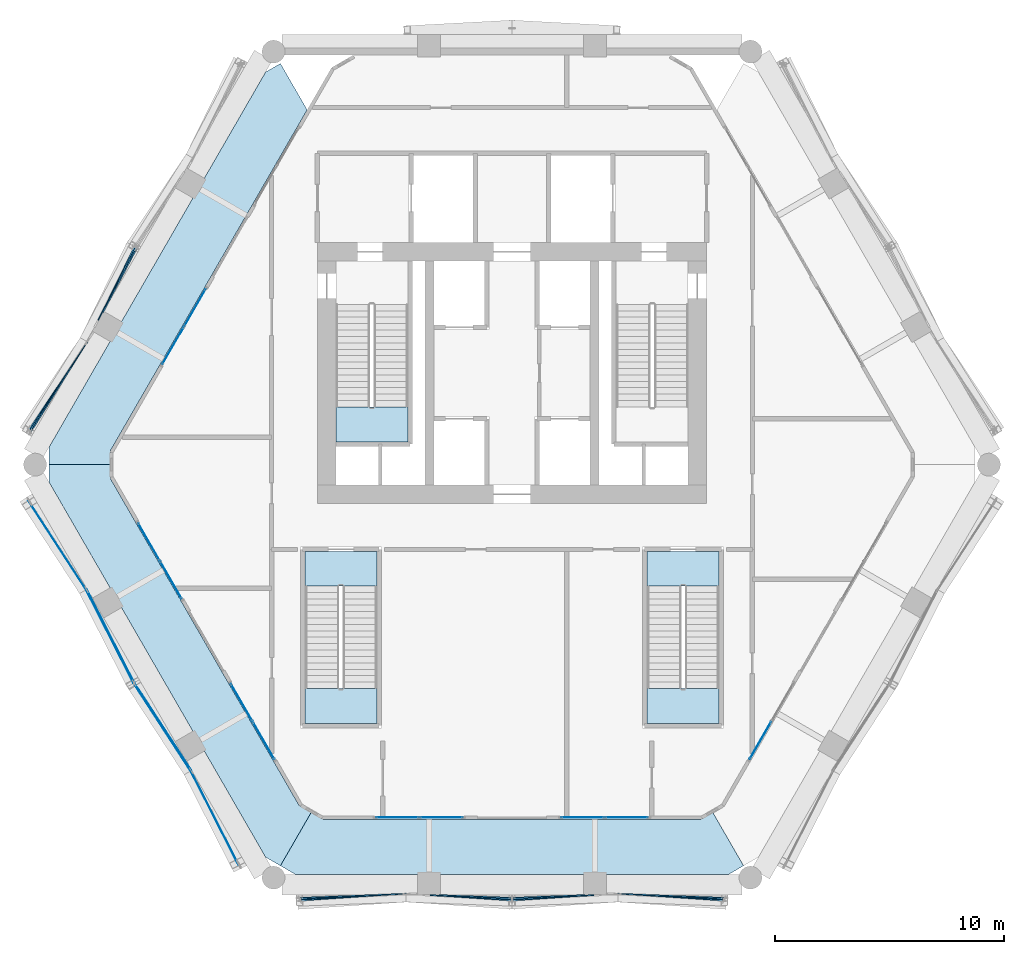
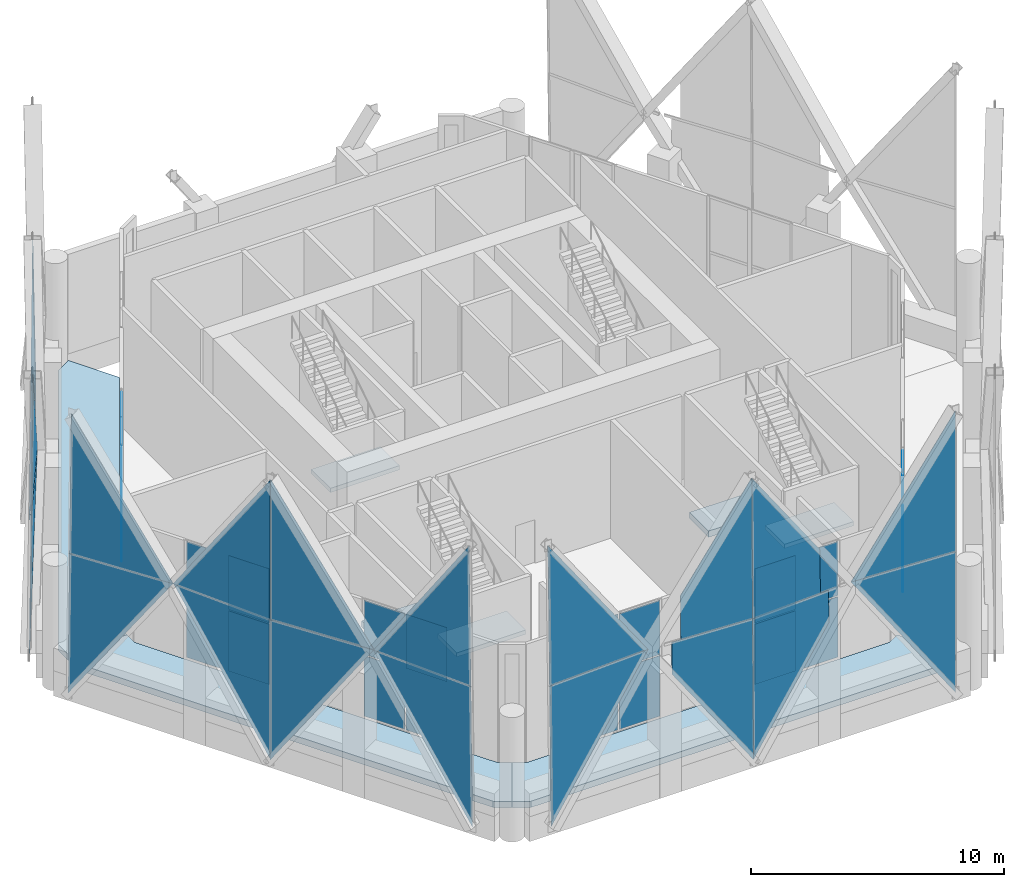
# One storey, part 33 of 43: 42 plates, 8 slabs, 21 elements without a shape of their own.
"""IFC4 building model written with IfcOpenShell, lengths in metres."""

from ifc_helpers import new_model, si_unit, direction, frame, origin, origin_2d, place, context, subcontext, project, spatial, polyline, rectangle, outline, extrude, material, layer, layer_set, type_object, element, aggregate, save


model = new_model("IFC4")

# Units and contexts
model_context = context("Model", 3, precision=1e-05, world=origin(), true_north=direction((0.0, 1.0)))
body_context = subcontext(model_context, "Body", "Model", "MODEL_VIEW")
ifc_project = project(units=[si_unit("LENGTHUNIT", "METRE"), si_unit("AREAUNIT", "SQUARE_METRE"), si_unit("VOLUMEUNIT", "CUBIC_METRE"), si_unit("PLANEANGLEUNIT", "RADIAN"), si_unit("MASSUNIT", "GRAM", prefix="KILO")], contexts=[model_context])

# Site, building, storey
site_placement = place(None, origin())
site = spatial("IfcSite", under=ifc_project, at=site_placement, CompositionType="ELEMENT")
building_placement = place(site_placement, origin())
building = spatial("IfcBuilding", under=site, at=building_placement, Name="Ostrander Bayou Hotel Tower", CompositionType="ELEMENT")
storey_placement = place(building_placement, frame((0.0, 0.0, 151.0)))
storey = spatial("IfcBuildingStorey", under=building, at=storey_placement, Name="L37", CompositionType="ELEMENT", Elevation=151.0)

# Curtain wall, plate
ifc_material_1 = material(Name="Aluminium and clear glass", Category="aluminium")
curtain_wall_type_1 = type_object("IfcCurtainWallType", Name="CW-LAT lattice glazing", PredefinedType="NOTDEFINED", material=ifc_material_1)
curtain_wall_1_placement = place(storey_placement, origin())
curtain_wall_1 = element("IfcCurtainWall", 1, at=curtain_wall_1_placement, inside=storey, type_object=curtain_wall_type_1, Name="CW-LAT L37 NW 3", PredefinedType="NOTDEFINED")
ifc_material_2 = material(Name="Clear laminated glass", Category="glass")
ifc_layer_1 = layer(ifc_material_2, 0.028076171875)
ifc_layer_set_1 = layer_set([ifc_layer_1], Name="CW-LA glazing panel 28 mm")
plate_type_1 = type_object("IfcPlateType", Name="CW-LA glazing panel 28 mm", PredefinedType="CURTAIN_PANEL", material=ifc_layer_set_1)
plate_1_placement = place(storey_placement, frame((-18.09619140625, 6.322265625, 4.61083984375), z_axis=(-0.89088196665, 0.454131904323, 0.009671348108), x_axis=(0.250070771874, 0.508122183734, -0.824182295036)))
plate_1 = element("IfcPlate", 2, at=plate_1_placement, type_object=plate_type_1, Name="CW-LAT panel 5", PredefinedType="CURTAIN_PANEL", context=body_context, shape_type="SweptSolid", body=[
    extrude(outline(polyline([(0.0, 0.0), (6.322554941326193, 0.0), (0.7568654767963365, -3.819670038703943), (-1.268644723479822, -0.871478330440852), (0.0, 0.0)])), origin(), (0.0, 0.0, -1.0), 0.028076171875),
])
aggregate(curtain_wall_1, [plate_1])

curtain_wall_2_placement = place(storey_placement, origin())
curtain_wall_2 = element("IfcCurtainWall", 3, at=curtain_wall_2_placement, inside=storey, type_object=curtain_wall_type_1, Name="CW-LAT L37 NW 4", PredefinedType="NOTDEFINED")
plate_2_placement = place(storey_placement, frame((-17.88671875, 6.6552734375, 8.262451171875), z_axis=(-0.890883523211, 0.454128271604, 0.009698505072), x_axis=(0.264047124719, 0.500383413735, 0.824557793722)))
plate_2 = element("IfcPlate", 4, at=plate_2_placement, type_object=plate_type_1, Name="CW-LAT panel 6", PredefinedType="CURTAIN_PANEL", context=body_context, shape_type="SweptSolid", body=[
    extrude(outline(polyline([(0.0, 0.0), (5.624168349981714, 8.881784197001252e-16), (0.059752948753249324, 3.821529454982562), (-1.741924590616676, 1.1953988123980954), (0.0, 0.0)])), origin(), (0.0, 0.0, -1.0), 0.028076171875),
])
aggregate(curtain_wall_2, [plate_2])

curtain_wall_3_placement = place(storey_placement, origin())
curtain_wall_3 = element("IfcCurtainWall", 5, at=curtain_wall_3_placement, inside=storey, type_object=curtain_wall_type_1, Name="CW-LAT L37 NW 1", PredefinedType="NOTDEFINED")
plate_3_placement = place(storey_placement, frame((-18.563232421875, 5.373291015625, 6.14990234375), z_axis=(-0.838721853158, 0.544468601573, 0.00997972629), x_axis=(-0.31354568093, -0.467852834741, -0.826318843422)))
plate_3 = element("IfcPlate", 6, at=plate_3_placement, type_object=plate_type_1, Name="CW-LAT panel 7", PredefinedType="CURTAIN_PANEL", context=body_context, shape_type="SweptSolid", body=[
    extrude(outline(polyline([(0.0, 0.0), (8.168759618314233, -8.881784197001252e-16), (2.609853758018229, 3.829723055517698), (0.0, 0.0)])), origin(), (0.0, 0.0, -1.0), 0.028076171875),
])
aggregate(curtain_wall_3, [plate_3])

curtain_wall_4_placement = place(storey_placement, origin())
curtain_wall_4 = element("IfcCurtainWall", 7, at=curtain_wall_4_placement, inside=storey, type_object=curtain_wall_type_1, Name="CW-LAT L37 NW 2", PredefinedType="NOTDEFINED")
plate_4_placement = place(storey_placement, frame((-18.563232421875, 5.373291015625, 6.14990234375), z_axis=(-0.838721853158, 0.544468601573, 0.00997972629), x_axis=(-0.302842262194, -0.481584935165, 0.822412618125)))
plate_4 = element("IfcPlate", 8, at=plate_4_placement, type_object=plate_type_1, Name="CW-LAT panel 8", PredefinedType="CURTAIN_PANEL", context=body_context, shape_type="SweptSolid", body=[
    extrude(outline(polyline([(0.0, 0.0), (8.207558895908347, 8.881784197001252e-16), (2.6362238671224083, -3.8116189529673425), (0.0, 0.0)])), origin(), (0.0, 0.0, -1.0), 0.028076171875),
])
aggregate(curtain_wall_4, [plate_4])

curtain_wall_5_placement = place(storey_placement, origin())
curtain_wall_5 = element("IfcCurtainWall", 9, at=curtain_wall_5_placement, inside=storey, type_object=curtain_wall_type_1, Name="CW-LAT L37 SW 3", PredefinedType="NOTDEFINED")
plate_5_placement = place(storey_placement, frame((-18.591552734375, -5.455078125, 6.14990234375), z_axis=(0.838410574173, 0.545038869541, 0.000582927446), x_axis=(-0.308952127368, 0.476128729107, -0.823316473972)))
plate_5 = element("IfcPlate", 10, at=plate_5_placement, type_object=plate_type_1, Name="CW-LAT panel 1", PredefinedType="CURTAIN_PANEL", context=body_context, shape_type="SweptSolid", body=[
    extrude(outline(polyline([(0.0, 0.0), (8.198548448123432, 4.440892098500626e-16), (2.598317991207277, 3.7690359344301516), (0.0, 0.0)])), origin(), (0.0, 0.0, -1.0), 0.028076171875),
])

curtain_wall_6_placement = place(storey_placement, origin())
curtain_wall_6 = element("IfcCurtainWall", 11, at=curtain_wall_6_placement, inside=storey, type_object=curtain_wall_type_1, Name="CW-LAT L37 SW 4", PredefinedType="NOTDEFINED")
plate_6_placement = place(storey_placement, frame((-18.591552734375, -5.455078125, 6.14990234375), z_axis=(0.838410574173, 0.545038869541, 0.000582927446), x_axis=(-0.30285077548, 0.464972978986, 0.831914380573)))
plate_6 = element("IfcPlate", 12, at=plate_6_placement, type_object=plate_type_1, Name="CW-LAT panel 2", PredefinedType="CURTAIN_PANEL", context=body_context, shape_type="SweptSolid", body=[
    extrude(outline(polyline([(0.0, 0.0), (8.113815745497392, 0.0), (2.5402771308688674, -3.8083960346636507), (0.0, 0.0)])), origin(), (0.0, 0.0, -1.0), 0.028076171875),
])

curtain_wall_7_placement = place(storey_placement, origin())
curtain_wall_7 = element("IfcCurtainWall", 13, at=curtain_wall_7_placement, inside=storey, type_object=curtain_wall_type_1, Name="CW-LAT L37 SW 1", PredefinedType="NOTDEFINED")
plate_7_placement = place(storey_placement, frame((-18.591552734375, -5.455078125, 6.14990234375), z_axis=(-0.891215250658, -0.453580617967, 0.0), x_axis=(0.25459000804, -0.500229703041, -0.827619581693)))
plate_7 = element("IfcPlate", 14, at=plate_7_placement, type_object=plate_type_1, Name="CW-LAT panel 3", PredefinedType="CURTAIN_PANEL", context=body_context, shape_type="SweptSolid", body=[
    extrude(outline(polyline([(0.0, 0.0), (8.155921089000628, -8.881784197001252e-16), (2.569488912572727, 3.7887036751600167), (0.0, 0.0)])), origin(), (0.0, 0.0, -1.0), 0.028076171875),
])

curtain_wall_8_placement = place(storey_placement, origin())
curtain_wall_8 = element("IfcCurtainWall", 15, at=curtain_wall_8_placement, inside=storey, type_object=curtain_wall_type_1, Name="CW-LAT L37 SW 2", PredefinedType="NOTDEFINED")
plate_8_placement = place(storey_placement, frame((-18.591552734375, -5.455078125, 6.14990234375), z_axis=(0.891215250658, 0.453580617967, 0.0), x_axis=(0.25459000804, -0.500229703041, 0.827619581693)))
plate_8 = element("IfcPlate", 16, at=plate_8_placement, type_object=plate_type_1, Name="CW-LAT panel 4", PredefinedType="CURTAIN_PANEL", context=body_context, shape_type="SweptSolid", body=[
    extrude(outline(polyline([(0.0, 0.0), (8.155921089000628, -8.881784197001252e-16), (2.569488912572727, 3.7887036751600167), (0.0, 0.0)])), origin(), (0.0, 0.0, -1.0), 0.028076171875),
])

# Plate
plate_9_placement = place(storey_placement, frame((-14.020263671875, -13.373291015625, 6.14990234375), z_axis=(0.838450926811, 0.544977103491, 0.0), x_axis=(-0.305894865119, 0.47062130046, -0.827613389843)))
plate_9 = element("IfcPlate", 17, at=plate_9_placement, type_object=plate_type_1, Name="CW-LAT panel 5", PredefinedType="CURTAIN_PANEL", context=body_context, shape_type="SweptSolid", body=[
    extrude(outline(polyline([(0.0, 0.0), (8.155982108119677, -8.881784197001252e-16), (2.569591726679248, 3.7887653010116438), (0.0, 0.0)])), origin(), (0.0, 0.0, -1.0), 0.028076171875),
])

aggregate(curtain_wall_5, [plate_5, plate_9])

plate_10_placement = place(storey_placement, frame((-14.020263671875, -13.373291015625, 6.14990234375), z_axis=(-0.838450926811, -0.544977103491, 0.0), x_axis=(-0.305894865119, 0.47062130046, 0.827613389843)))
plate_10 = element("IfcPlate", 18, at=plate_10_placement, type_object=plate_type_1, Name="CW-LAT panel 6", PredefinedType="CURTAIN_PANEL", context=body_context, shape_type="SweptSolid", body=[
    extrude(outline(polyline([(0.0, 0.0), (8.155982108119677, -8.881784197001252e-16), (2.569591726679248, 3.7887653010116438), (0.0, 0.0)])), origin(), (0.0, 0.0, -1.0), 0.028076171875),
])

aggregate(curtain_wall_6, [plate_6, plate_10])

plate_11_placement = place(storey_placement, frame((-14.020263671875, -13.373291015625, 6.14990234375), z_axis=(0.891182565931, 0.453644458756, 0.000582426878), x_axis=(0.257910533039, -0.505607082376, -0.823312598712)))
plate_11 = element("IfcPlate", 19, at=plate_11_placement, type_object=plate_type_1, Name="CW-LAT panel 7", PredefinedType="CURTAIN_PANEL", context=body_context, shape_type="SweptSolid", body=[
    extrude(outline(polyline([(0.0, 0.0), (8.198587037967947, -4.440892098500626e-16), (2.598262046028651, -3.768899711845811), (0.0, 0.0)])), origin(), (0.0, 0.0, -1.0), 0.028076171875),
])

aggregate(curtain_wall_7, [plate_7, plate_11])

plate_12_placement = place(storey_placement, frame((-14.020263671875, -13.373291015625, 6.14990234375), z_axis=(0.891182548418, 0.453644449841, 0.000615242582), x_axis=(0.251276012821, -0.494758888614, 0.831909855404)))
plate_12 = element("IfcPlate", 20, at=plate_12_placement, type_object=plate_type_1, Name="CW-LAT panel 8", PredefinedType="CURTAIN_PANEL", context=body_context, shape_type="SweptSolid", body=[
    extrude(outline(polyline([(0.0, 0.0), (8.113859880555804, 1.3322676295501878e-15), (2.540228221142365, 3.80825567449145), (0.0, 0.0)])), origin(), (0.0, 0.0, -1.0), 0.028076171875),
])

aggregate(curtain_wall_8, [plate_8, plate_12])

# Curtain wall, plate
curtain_wall_9_placement = place(storey_placement, origin())
curtain_wall_9 = element("IfcCurtainWall", 21, at=curtain_wall_9_placement, inside=storey, type_object=curtain_wall_type_1, Name="CW-LAT L37 S 3", PredefinedType="NOTDEFINED")
plate_13_placement = place(storey_placement, frame((-4.628173828125, -18.762939453125, 6.14990234375), z_axis=(0.052097238941, -0.998591869173, 0.010007822802), x_axis=(-0.561940227992, -0.03759817077, -0.826322913708)))
plate_13 = element("IfcPlate", 22, at=plate_13_placement, type_object=plate_type_1, Name="CW-LAT panel 1", PredefinedType="CURTAIN_PANEL", context=body_context, shape_type="SweptSolid", body=[
    extrude(outline(polyline([(0.0, 0.0), (8.16871938079489, 0.0), (2.6098353254257125, -3.829758884349461), (0.0, 0.0)])), origin(), (0.0, 0.0, -1.0), 0.028076171875),
])

curtain_wall_10_placement = place(storey_placement, origin())
curtain_wall_10 = element("IfcCurtainWall", 23, at=curtain_wall_10_placement, inside=storey, type_object=curtain_wall_type_1, Name="CW-LAT L37 S 4", PredefinedType="NOTDEFINED")
plate_14_placement = place(storey_placement, frame((-4.628173828125, -18.762939453125, 6.14990234375), z_axis=(0.052097276468, -0.998592588476, 0.009935593858), x_axis=(-0.568496967619, -0.021476287705, 0.822404989573)))
plate_14 = element("IfcPlate", 24, at=plate_14_placement, type_object=plate_type_1, Name="CW-LAT panel 2", PredefinedType="CURTAIN_PANEL", context=body_context, shape_type="SweptSolid", body=[
    extrude(outline(polyline([(0.0, 0.0), (8.207635028459249, 0.0), (2.6362883456269146, 3.811597735439205), (0.0, 0.0)])), origin(), (0.0, 0.0, -1.0), 0.028076171875),
])

curtain_wall_11_placement = place(storey_placement, origin())
curtain_wall_11 = element("IfcCurtainWall", 25, at=curtain_wall_11_placement, inside=storey, type_object=curtain_wall_type_1, Name="CW-LAT L37 S 1", PredefinedType="NOTDEFINED")
plate_15_placement = place(storey_placement, frame((-3.5732421875, -18.8330078125, 4.611572265625), z_axis=(-0.052077473447, -0.99859582673, 0.009711415807), x_axis=(0.565080028044, -0.037484569709, -0.824184123203)))
plate_15 = element("IfcPlate", 26, at=plate_15_placement, type_object=plate_type_1, Name="CW-LAT panel 3", PredefinedType="CURTAIN_PANEL", context=body_context, shape_type="SweptSolid", body=[
    extrude(outline(polyline([(0.0, 0.0), (6.323429513097903, 0.0), (0.7577249262918935, 3.81965253697685), (-1.2680115915448602, 0.8711075464163497), (0.0, 0.0)])), origin(), (0.0, 0.0, -1.0), 0.028076171875),
])

curtain_wall_12_placement = place(storey_placement, origin())
curtain_wall_12 = element("IfcCurtainWall", 27, at=curtain_wall_12_placement, inside=storey, type_object=curtain_wall_type_1, Name="CW-LAT L37 S 2", PredefinedType="NOTDEFINED")
plate_16_placement = place(storey_placement, frame((-3.180908203125, -18.818115234375, 8.2607421875), z_axis=(-0.052085261016, -0.998596154336, 0.009635669672), x_axis=(0.565369030828, -0.021532463119, 0.82455697924)))
plate_16 = element("IfcPlate", 28, at=plate_16_placement, type_object=plate_type_1, Name="CW-LAT panel 4", PredefinedType="CURTAIN_PANEL", context=body_context, shape_type="SweptSolid", body=[
    extrude(outline(polyline([(0.0, 0.0), (5.62624631930537, 0.0), (0.06189031482128371, -3.821608484401039), (-1.7406235166481918, -1.1942722413623696), (0.0, 0.0)])), origin(), (0.0, 0.0, -1.0), 0.028076171875),
])

# Plate
plate_17_placement = place(storey_placement, frame((3.57373046875, -18.8330078125, 4.612060546875), z_axis=(0.052069956527, -0.998596198202, 0.009713524766), x_axis=(-0.565096507428, -0.037482792913, -0.824172905116)))
plate_17 = element("IfcPlate", 29, at=plate_17_placement, type_object=plate_type_1, Name="CW-LAT panel 5", PredefinedType="CURTAIN_PANEL", context=body_context, shape_type="SweptSolid", body=[
    extrude(outline(polyline([(0.0, 0.0), (6.32410786596217, -4.440892098500626e-16), (0.7584791179278494, -3.819763041147855), (-1.2674539047034774, -0.8710572506958182), (0.0, 0.0)])), origin(), (0.0, 0.0, -1.0), 0.028076171875),
])

aggregate(curtain_wall_9, [plate_13, plate_17])

plate_18_placement = place(storey_placement, frame((3.18115234375, -18.818115234375, 8.260498046875), z_axis=(0.052081836465, -0.998596330375, 0.009635936488), x_axis=(-0.565378340716, -0.021530846899, 0.824550637912)))
plate_18 = element("IfcPlate", 30, at=plate_18_placement, type_object=plate_type_1, Name="CW-LAT panel 6", PredefinedType="CURTAIN_PANEL", context=body_context, shape_type="SweptSolid", body=[
    extrude(outline(polyline([(0.0, 0.0), (5.626585657185675, -4.440892098500626e-16), (0.06227235130786113, 3.821670653902906), (-1.7404088666556503, 1.1941535773670158), (0.0, 0.0)])), origin(), (0.0, 0.0, -1.0), 0.028076171875),
])

aggregate(curtain_wall_10, [plate_14, plate_18])

plate_19_placement = place(storey_placement, frame((4.628173828125, -18.762939453125, 6.14990234375), z_axis=(-0.052097238941, -0.998591869173, 0.010007822802), x_axis=(0.561940227992, -0.03759817077, -0.826322913708)))
plate_19 = element("IfcPlate", 31, at=plate_19_placement, type_object=plate_type_1, Name="CW-LAT panel 7", PredefinedType="CURTAIN_PANEL", context=body_context, shape_type="SweptSolid", body=[
    extrude(outline(polyline([(0.0, 0.0), (8.16871938079489, 0.0), (2.6098353254257125, 3.829758884349461), (0.0, 0.0)])), origin(), (0.0, 0.0, -1.0), 0.028076171875),
])

aggregate(curtain_wall_11, [plate_15, plate_19])

plate_20_placement = place(storey_placement, frame((4.628173828125, -18.762939453125, 6.14990234375), z_axis=(-0.052097276468, -0.998592588476, 0.009935593858), x_axis=(0.568496967619, -0.021476287705, 0.822404989573)))
plate_20 = element("IfcPlate", 32, at=plate_20_placement, type_object=plate_type_1, Name="CW-LAT panel 8", PredefinedType="CURTAIN_PANEL", context=body_context, shape_type="SweptSolid", body=[
    extrude(outline(polyline([(0.0, 0.0), (8.207635028459249, 0.0), (2.6362883456269146, -3.811597735439205), (0.0, 0.0)])), origin(), (0.0, 0.0, -1.0), 0.028076171875),
])

aggregate(curtain_wall_12, [plate_16, plate_20])

# Curtain wall, plates
ifc_material_3 = material(Name="Aluminium and clear glass", Category="aluminium")
curtain_wall_type_2 = type_object("IfcCurtainWallType", Name="CW-SKY amenity glass wall", PredefinedType="NOTDEFINED", material=ifc_material_3)
curtain_wall_13_placement = place(storey_placement, origin())
curtain_wall_13 = element("IfcCurtainWall", 33, at=curtain_wall_13_placement, inside=storey, type_object=curtain_wall_type_2, Name="CW-SKY L37 NW 3", PredefinedType="NOTDEFINED")
ifc_material_4 = material(Name="Clear laminated glass", Category="glass")
ifc_layer_2 = layer(ifc_material_4, 0.028076171875)
ifc_layer_set_2 = layer_set([ifc_layer_2], Name="CW-SK glazing panel 28 mm")
plate_type_2 = type_object("IfcPlateType", Name="CW-SK glazing panel 28 mm", PredefinedType="CURTAIN_PANEL", material=ifc_layer_set_2)
plate_21_placement = place(storey_placement, frame((-13.853515625, 6.855224609375, 0.06005859375), z_axis=(0.0, 0.0, 1.0), x_axis=(-0.499999897278, -0.866025463091, 0.0)))
plate_21 = element("IfcPlate", 34, at=plate_21_placement, type_object=plate_type_2, Name="CW-SKY panel 1.1", PredefinedType="CURTAIN_PANEL", context=body_context, shape_type="SweptSolid", body=[
    extrude(rectangle(XDim=1.860107421875, YDim=0.028076171875, at=origin_2d()), origin(), (0.0, 0.0, 1.0), 2.909912109375),
])
plate_22_placement = place(storey_placement, frame((-13.853515625, 6.855224609375, 3.02978515625), z_axis=(0.0, 0.0, 1.0), x_axis=(-0.499999897278, -0.866025463091, 0.0)))
plate_22 = element("IfcPlate", 35, at=plate_22_placement, type_object=plate_type_2, Name="CW-SKY panel 1.2", PredefinedType="CURTAIN_PANEL", context=body_context, shape_type="SweptSolid", body=[
    extrude(rectangle(XDim=1.860107421875, YDim=0.028076171875, at=origin_2d()), origin(), (0.0, 0.0, 1.0), 2.610107421875),
])
plate_23_placement = place(storey_placement, frame((-14.8134765625, 5.1923828125, 0.06005859375), z_axis=(0.0, 0.0, 1.0), x_axis=(-0.499999897278, -0.866025463091, 0.0)))
plate_23 = element("IfcPlate", 36, at=plate_23_placement, type_object=plate_type_2, Name="CW-SKY panel 2.1", PredefinedType="CURTAIN_PANEL", context=body_context, shape_type="SweptSolid", body=[
    extrude(rectangle(XDim=1.860107421875, YDim=0.028076171875, at=origin_2d()), origin(), (0.0, 0.0, 1.0), 2.909912109375),
])
plate_24_placement = place(storey_placement, frame((-14.8134765625, 5.1923828125, 3.02978515625), z_axis=(0.0, 0.0, 1.0), x_axis=(-0.499999897278, -0.866025463091, 0.0)))
plate_24 = element("IfcPlate", 37, at=plate_24_placement, type_object=plate_type_2, Name="CW-SKY panel 2.2", PredefinedType="CURTAIN_PANEL", context=body_context, shape_type="SweptSolid", body=[
    extrude(rectangle(XDim=1.860107421875, YDim=0.028076171875, at=origin_2d()), origin(), (0.0, 0.0, 1.0), 2.610107421875),
])
aggregate(curtain_wall_13, [plate_21, plate_22, plate_23, plate_24])

curtain_wall_14_placement = place(storey_placement, origin())
curtain_wall_14 = element("IfcCurtainWall", 38, at=curtain_wall_14_placement, inside=storey, type_object=curtain_wall_type_2, Name="CW-SKY L37 SW 1", PredefinedType="NOTDEFINED")
plate_25_placement = place(storey_placement, frame((-15.86328125, -3.373779296875, 0.06005859375), z_axis=(0.0, 0.0, 1.0), x_axis=(0.499999897278, -0.866025463091, 0.0)))
plate_25 = element("IfcPlate", 39, at=plate_25_placement, type_object=plate_type_2, Name="CW-SKY panel 1.1", PredefinedType="CURTAIN_PANEL", context=body_context, shape_type="SweptSolid", body=[
    extrude(rectangle(XDim=1.860107421875, YDim=0.028076171875, at=origin_2d()), origin(), (0.0, 0.0, 1.0), 2.909912109375),
])
plate_26_placement = place(storey_placement, frame((-15.86328125, -3.373779296875, 3.02978515625), z_axis=(0.0, 0.0, 1.0), x_axis=(0.499999897278, -0.866025463091, 0.0)))
plate_26 = element("IfcPlate", 40, at=plate_26_placement, type_object=plate_type_2, Name="CW-SKY panel 1.2", PredefinedType="CURTAIN_PANEL", context=body_context, shape_type="SweptSolid", body=[
    extrude(rectangle(XDim=1.860107421875, YDim=0.028076171875, at=origin_2d()), origin(), (0.0, 0.0, 1.0), 2.610107421875),
])
plate_27_placement = place(storey_placement, frame((-14.9033203125, -5.036376953125, 0.06005859375), z_axis=(0.0, 0.0, 1.0), x_axis=(0.499999897278, -0.866025463091, 0.0)))
plate_27 = element("IfcPlate", 41, at=plate_27_placement, type_object=plate_type_2, Name="CW-SKY panel 2.1", PredefinedType="CURTAIN_PANEL", context=body_context, shape_type="SweptSolid", body=[
    extrude(rectangle(XDim=1.860107421875, YDim=0.028076171875, at=origin_2d()), origin(), (0.0, 0.0, 1.0), 2.909912109375),
])
plate_28_placement = place(storey_placement, frame((-14.9033203125, -5.036376953125, 3.02978515625), z_axis=(0.0, 0.0, 1.0), x_axis=(0.499999897278, -0.866025463091, 0.0)))
plate_28 = element("IfcPlate", 42, at=plate_28_placement, type_object=plate_type_2, Name="CW-SKY panel 2.2", PredefinedType="CURTAIN_PANEL", context=body_context, shape_type="SweptSolid", body=[
    extrude(rectangle(XDim=1.860107421875, YDim=0.028076171875, at=origin_2d()), origin(), (0.0, 0.0, 1.0), 2.610107421875),
])
aggregate(curtain_wall_14, [plate_25, plate_26, plate_27, plate_28])

curtain_wall_15_placement = place(storey_placement, origin())
curtain_wall_15 = element("IfcCurtainWall", 43, at=curtain_wall_15_placement, inside=storey, type_object=curtain_wall_type_2, Name="CW-SKY L37 SW 3", PredefinedType="NOTDEFINED")
plate_29_placement = place(storey_placement, frame((-11.8134765625, -10.388671875, 0.06005859375), z_axis=(0.0, 0.0, 1.0), x_axis=(0.499999897278, -0.866025463091, 0.0)))
plate_29 = element("IfcPlate", 44, at=plate_29_placement, type_object=plate_type_2, Name="CW-SKY panel 1.1", PredefinedType="CURTAIN_PANEL", context=body_context, shape_type="SweptSolid", body=[
    extrude(rectangle(XDim=1.860107421875, YDim=0.028076171875, at=origin_2d()), origin(), (0.0, 0.0, 1.0), 2.909912109375),
])
plate_30_placement = place(storey_placement, frame((-11.8134765625, -10.388671875, 3.02978515625), z_axis=(0.0, 0.0, 1.0), x_axis=(0.499999897278, -0.866025463091, 0.0)))
plate_30 = element("IfcPlate", 45, at=plate_30_placement, type_object=plate_type_2, Name="CW-SKY panel 1.2", PredefinedType="CURTAIN_PANEL", context=body_context, shape_type="SweptSolid", body=[
    extrude(rectangle(XDim=1.860107421875, YDim=0.028076171875, at=origin_2d()), origin(), (0.0, 0.0, 1.0), 2.610107421875),
])
plate_31_placement = place(storey_placement, frame((-10.853515625, -12.05126953125, 0.06005859375), z_axis=(0.0, 0.0, 1.0), x_axis=(0.499999897278, -0.866025463091, 0.0)))
plate_31 = element("IfcPlate", 46, at=plate_31_placement, type_object=plate_type_2, Name="CW-SKY panel 2.1", PredefinedType="CURTAIN_PANEL", context=body_context, shape_type="SweptSolid", body=[
    extrude(rectangle(XDim=1.860107421875, YDim=0.028076171875, at=origin_2d()), origin(), (0.0, 0.0, 1.0), 2.909912109375),
])
plate_32_placement = place(storey_placement, frame((-10.853515625, -12.05126953125, 3.02978515625), z_axis=(0.0, 0.0, 1.0), x_axis=(0.499999897278, -0.866025463091, 0.0)))
plate_32 = element("IfcPlate", 47, at=plate_32_placement, type_object=plate_type_2, Name="CW-SKY panel 2.2", PredefinedType="CURTAIN_PANEL", context=body_context, shape_type="SweptSolid", body=[
    extrude(rectangle(XDim=1.860107421875, YDim=0.028076171875, at=origin_2d()), origin(), (0.0, 0.0, 1.0), 2.610107421875),
])
aggregate(curtain_wall_15, [plate_29, plate_30, plate_31, plate_32])

curtain_wall_16_placement = place(storey_placement, origin())
curtain_wall_16 = element("IfcCurtainWall", 48, at=curtain_wall_16_placement, inside=storey, type_object=curtain_wall_type_2, Name="CW-SKY L37 S 1", PredefinedType="NOTDEFINED")
plate_33_placement = place(storey_placement, frame((-5.010009765625, -15.425048828125, 0.06005859375), z_axis=(0.0, 0.0, 1.0), x_axis=(1.0, 0.0, 0.0)))
plate_33 = element("IfcPlate", 49, at=plate_33_placement, type_object=plate_type_2, Name="CW-SKY panel 1.1", PredefinedType="CURTAIN_PANEL", context=body_context, shape_type="SweptSolid", body=[
    extrude(rectangle(XDim=1.860107421875, YDim=0.028076171875, at=origin_2d()), origin(), (0.0, 0.0, 1.0), 2.909912109375),
])
plate_34_placement = place(storey_placement, frame((-5.010009765625, -15.425048828125, 3.02978515625), z_axis=(0.0, 0.0, 1.0), x_axis=(1.0, 0.0, 0.0)))
plate_34 = element("IfcPlate", 50, at=plate_34_placement, type_object=plate_type_2, Name="CW-SKY panel 1.2", PredefinedType="CURTAIN_PANEL", context=body_context, shape_type="SweptSolid", body=[
    extrude(rectangle(XDim=1.860107421875, YDim=0.028076171875, at=origin_2d()), origin(), (0.0, 0.0, 1.0), 2.610107421875),
])
plate_35_placement = place(storey_placement, frame((-3.090087890625, -15.425048828125, 0.06005859375), z_axis=(0.0, 0.0, 1.0), x_axis=(1.0, 0.0, 0.0)))
plate_35 = element("IfcPlate", 51, at=plate_35_placement, type_object=plate_type_2, Name="CW-SKY panel 2.1", PredefinedType="CURTAIN_PANEL", context=body_context, shape_type="SweptSolid", body=[
    extrude(rectangle(XDim=1.860107421875, YDim=0.028076171875, at=origin_2d()), origin(), (0.0, 0.0, 1.0), 2.909912109375),
])
plate_36_placement = place(storey_placement, frame((-3.090087890625, -15.425048828125, 3.02978515625), z_axis=(0.0, 0.0, 1.0), x_axis=(1.0, 0.0, 0.0)))
plate_36 = element("IfcPlate", 52, at=plate_36_placement, type_object=plate_type_2, Name="CW-SKY panel 2.2", PredefinedType="CURTAIN_PANEL", context=body_context, shape_type="SweptSolid", body=[
    extrude(rectangle(XDim=1.860107421875, YDim=0.028076171875, at=origin_2d()), origin(), (0.0, 0.0, 1.0), 2.610107421875),
])
aggregate(curtain_wall_16, [plate_33, plate_34, plate_35, plate_36])

curtain_wall_17_placement = place(storey_placement, origin())
curtain_wall_17 = element("IfcCurtainWall", 53, at=curtain_wall_17_placement, inside=storey, type_object=curtain_wall_type_2, Name="CW-SKY L37 S 3", PredefinedType="NOTDEFINED")
plate_37_placement = place(storey_placement, frame((3.090087890625, -15.425048828125, 0.06005859375), z_axis=(0.0, 0.0, 1.0), x_axis=(1.0, 0.0, 0.0)))
plate_37 = element("IfcPlate", 54, at=plate_37_placement, type_object=plate_type_2, Name="CW-SKY panel 1.1", PredefinedType="CURTAIN_PANEL", context=body_context, shape_type="SweptSolid", body=[
    extrude(rectangle(XDim=1.860107421875, YDim=0.028076171875, at=origin_2d()), origin(), (0.0, 0.0, 1.0), 2.909912109375),
])
plate_38_placement = place(storey_placement, frame((3.090087890625, -15.425048828125, 3.02978515625), z_axis=(0.0, 0.0, 1.0), x_axis=(1.0, 0.0, 0.0)))
plate_38 = element("IfcPlate", 55, at=plate_38_placement, type_object=plate_type_2, Name="CW-SKY panel 1.2", PredefinedType="CURTAIN_PANEL", context=body_context, shape_type="SweptSolid", body=[
    extrude(rectangle(XDim=1.860107421875, YDim=0.028076171875, at=origin_2d()), origin(), (0.0, 0.0, 1.0), 2.610107421875),
])
plate_39_placement = place(storey_placement, frame((5.010009765625, -15.425048828125, 0.06005859375), z_axis=(0.0, 0.0, 1.0), x_axis=(1.0, 0.0, 0.0)))
plate_39 = element("IfcPlate", 56, at=plate_39_placement, type_object=plate_type_2, Name="CW-SKY panel 2.1", PredefinedType="CURTAIN_PANEL", context=body_context, shape_type="SweptSolid", body=[
    extrude(rectangle(XDim=1.860107421875, YDim=0.028076171875, at=origin_2d()), origin(), (0.0, 0.0, 1.0), 2.909912109375),
])
plate_40_placement = place(storey_placement, frame((5.010009765625, -15.425048828125, 3.02978515625), z_axis=(0.0, 0.0, 1.0), x_axis=(1.0, 0.0, 0.0)))
plate_40 = element("IfcPlate", 57, at=plate_40_placement, type_object=plate_type_2, Name="CW-SKY panel 2.2", PredefinedType="CURTAIN_PANEL", context=body_context, shape_type="SweptSolid", body=[
    extrude(rectangle(XDim=1.860107421875, YDim=0.028076171875, at=origin_2d()), origin(), (0.0, 0.0, 1.0), 2.610107421875),
])
aggregate(curtain_wall_17, [plate_37, plate_38, plate_39, plate_40])

curtain_wall_18_placement = place(storey_placement, origin())
curtain_wall_18 = element("IfcCurtainWall", 58, at=curtain_wall_18_placement, inside=storey, type_object=curtain_wall_type_2, Name="CW-SKY L37 SE 1", PredefinedType="NOTDEFINED")
plate_41_placement = place(storey_placement, frame((10.853515625, -12.05126953125, 0.06005859375), z_axis=(0.0, 0.0, 1.0), x_axis=(0.499999897278, 0.866025463091, 0.0)))
plate_41 = element("IfcPlate", 59, at=plate_41_placement, type_object=plate_type_2, Name="CW-SKY panel 1.1", PredefinedType="CURTAIN_PANEL", context=body_context, shape_type="SweptSolid", body=[
    extrude(rectangle(XDim=1.860107421875, YDim=0.028076171875, at=origin_2d()), origin(), (0.0, 0.0, 1.0), 2.909912109375),
])
plate_42_placement = place(storey_placement, frame((10.853515625, -12.05126953125, 3.02978515625), z_axis=(0.0, 0.0, 1.0), x_axis=(0.499999897278, 0.866025463091, 0.0)))
plate_42 = element("IfcPlate", 60, at=plate_42_placement, type_object=plate_type_2, Name="CW-SKY panel 1.2", PredefinedType="CURTAIN_PANEL", context=body_context, shape_type="SweptSolid", body=[
    extrude(rectangle(XDim=1.860107421875, YDim=0.028076171875, at=origin_2d()), origin(), (0.0, 0.0, 1.0), 2.610107421875),
])
aggregate(curtain_wall_18, [plate_41, plate_42])

# Slabs
ifc_material_5 = material(Name="Concrete f'c 40 MPa", Category="concrete")
ifc_layer_3 = layer(ifc_material_5, 0.300048828125)
ifc_layer_set_3 = layer_set([ifc_layer_3], Name="SL1 floor slab 300 mm f'c 40 MPa")
slab_type_1 = type_object("IfcSlabType", Name="SL1 floor slab 300 mm f'c 40 MPa", PredefinedType="FLOOR", material=ifc_layer_set_3)
slab_1_placement = place(storey_placement, frame((0.0, 0.0, -0.300048828125)))
element("IfcSlab", 61, at=slab_1_placement, inside=storey, type_object=slab_type_1, Name="cslab:L37:004", PredefinedType="FLOOR", context=body_context, shape_type="SweptSolid", body=[
    extrude(outline(polyline([(9.050048828125, -5.300048828125), (9.050048828125, -3.800048828125), (5.89990234375, -3.800048828125), (5.89990234375, -5.300048828125), (9.050048828125, -5.300048828125)])), origin(), (0.0, 0.0, 1.0), 0.300048828125),
])
slab_2_placement = place(storey_placement, frame((0.0, 0.0, -0.300048828125)))
element("IfcSlab", 62, at=slab_2_placement, inside=storey, type_object=slab_type_1, Name="cslab:L37:005", PredefinedType="FLOOR", context=body_context, shape_type="SweptSolid", body=[
    extrude(outline(polyline([(-5.89990234375, -5.300048828125), (-5.89990234375, -3.800048828125), (-9.050048828125, -3.800048828125), (-9.050048828125, -5.300048828125), (-5.89990234375, -5.300048828125)])), origin(), (0.0, 0.0, 1.0), 0.300048828125),
])
ifc_material_6 = material(Name="Concrete f'c 40 MPa", Category="concrete")
ifc_layer_4 = layer(ifc_material_6, 0.300048828125)
ifc_layer_set_4 = layer_set([ifc_layer_4], Name="SL4 loggia slab 300 mm f'c 40 MPa")
slab_type_2 = type_object("IfcSlabType", Name="SL4 loggia slab 300 mm f'c 40 MPa", PredefinedType="FLOOR", material=ifc_layer_set_4)
slab_3_placement = place(storey_placement, frame((0.0, 0.0, -0.300048828125)))
element("IfcSlab", 63, at=slab_3_placement, inside=storey, type_object=slab_type_2, Name="SL4 LOGGIA L37 NW 1", PredefinedType="FLOOR", context=body_context, shape_type="SweptSolid", body=[
    extrude(outline(polyline([(-20.236083984375, 0.0), (-20.236083984375, 0.75), (-10.767578125, 17.14990234375), (-10.1181640625, 17.52490234375), (-8.948974609375, 15.5), (-17.551513671875, 0.60009765625), (-17.551513671875, 0.0), (-20.236083984375, 0.0)])), origin(), (0.0, 0.0, 1.0), 0.300048828125),
])
slab_4_placement = place(storey_placement, frame((0.0, 0.0, -0.300048828125)))
element("IfcSlab", 64, at=slab_4_placement, inside=storey, type_object=slab_type_2, Name="SL4 LOGGIA L37 SW 1", PredefinedType="FLOOR", context=body_context, shape_type="SweptSolid", body=[
    extrude(outline(polyline([(-8.775634765625, -15.199951171875), (-10.1181640625, -17.52490234375), (-10.767578125, -17.14990234375), (-13.457763671875, -12.490478515625), (-13.927734375, -11.67626953125), (-17.075927734375, -6.2236328125), (-17.5458984375, -5.40966796875), (-19.719482421875, -1.64501953125), (-19.818603515625, -1.473388671875), (-20.236083984375, -0.75), (-20.236083984375, 0.0), (-17.551513671875, 0.0), (-17.551513671875, -0.60009765625), (-9.29541015625, -14.89990234375), (-8.775634765625, -15.199951171875)])), origin(), (0.0, 0.0, 1.0), 0.300048828125),
])
slab_5_placement = place(storey_placement, frame((0.0, 0.0, -0.300048828125)))
element("IfcSlab", 65, at=slab_5_placement, inside=storey, type_object=slab_type_2, Name="SL4 LOGGIA L37 S 1", PredefinedType="FLOOR", context=body_context, shape_type="SweptSolid", body=[
    extrude(outline(polyline([(8.775634765625, -15.199951171875), (10.1181640625, -17.52490234375), (9.468505859375, -17.89990234375), (4.088134765625, -17.89990234375), (3.148193359375, -17.89990234375), (0.0, -17.89990234375), (-9.468505859375, -17.89990234375), (-10.1181640625, -17.52490234375), (-8.775634765625, -15.199951171875), (-8.256103515625, -15.5), (8.256103515625, -15.5), (8.775634765625, -15.199951171875)])), origin(), (0.0, 0.0, 1.0), 0.300048828125),
])

# Stair, slab
ifc_material_7 = material(Name="Concrete f'c 45 MPa", Category="concrete")
stair_type = type_object("IfcStairType", Name="ST1 exit stair 1500 mm f'c 45 MPa", PredefinedType="HALF_TURN_STAIR", material=ifc_material_7)
stair_1_placement = place(storey_placement, origin())
stair_1 = element("IfcStair", 66, at=stair_1_placement, inside=storey, type_object=stair_type, Name="L37 exit stair A", PredefinedType="HALF_TURN_STAIR")
ifc_material_8 = material(Name="Concrete f'c 45 MPa", Category="concrete")
ifc_layer_5 = layer(ifc_material_8, 0.199951171875)
ifc_layer_set_5 = layer_set([ifc_layer_5], Name="SL8 stair landing 200 mm f'c 45 MPa")
slab_type_3 = type_object("IfcSlabType", Name="SL8 stair landing 200 mm f'c 45 MPa", PredefinedType="LANDING", material=ifc_layer_set_5)
slab_6_placement = place(storey_placement, frame((0.0, 0.0, 2.800048828125)))
slab_6 = element("IfcSlab", 67, at=slab_6_placement, type_object=slab_type_3, Name="STA landing 1", PredefinedType="LANDING", context=body_context, shape_type="SweptSolid", body=[
    extrude(outline(polyline([(-7.699951171875, 2.52001953125), (-7.699951171875, 1.0), (-4.550048828125, 1.0), (-4.550048828125, 2.52001953125), (-7.699951171875, 2.52001953125)])), origin(), (0.0, 0.0, 1.0), 0.199951171875),
])
aggregate(stair_1, [slab_6])

stair_2_placement = place(storey_placement, origin())
stair_2 = element("IfcStair", 68, at=stair_2_placement, inside=storey, type_object=stair_type, Name="L37 exit stair C", PredefinedType="HALF_TURN_STAIR")
slab_7_placement = place(storey_placement, frame((0.0, 0.0, 2.800048828125)))
slab_7 = element("IfcSlab", 69, at=slab_7_placement, type_object=slab_type_3, Name="STC landing 1", PredefinedType="LANDING", context=body_context, shape_type="SweptSolid", body=[
    extrude(outline(polyline([(5.89990234375, -9.780029296875), (5.89990234375, -11.300048828125), (9.050048828125, -11.300048828125), (9.050048828125, -9.780029296875), (5.89990234375, -9.780029296875)])), origin(), (0.0, 0.0, 1.0), 0.199951171875),
])
aggregate(stair_2, [slab_7])

stair_3_placement = place(storey_placement, origin())
stair_3 = element("IfcStair", 70, at=stair_3_placement, inside=storey, type_object=stair_type, Name="L37 exit stair D", PredefinedType="HALF_TURN_STAIR")
slab_8_placement = place(storey_placement, frame((0.0, 0.0, 2.800048828125)))
slab_8 = element("IfcSlab", 71, at=slab_8_placement, type_object=slab_type_3, Name="STD landing 1", PredefinedType="LANDING", context=body_context, shape_type="SweptSolid", body=[
    extrude(outline(polyline([(-9.050048828125, -9.780029296875), (-9.050048828125, -11.300048828125), (-5.89990234375, -11.300048828125), (-5.89990234375, -9.780029296875), (-9.050048828125, -9.780029296875)])), origin(), (0.0, 0.0, 1.0), 0.199951171875),
])
aggregate(stair_3, [slab_8])

save(model, "model.ifc")
